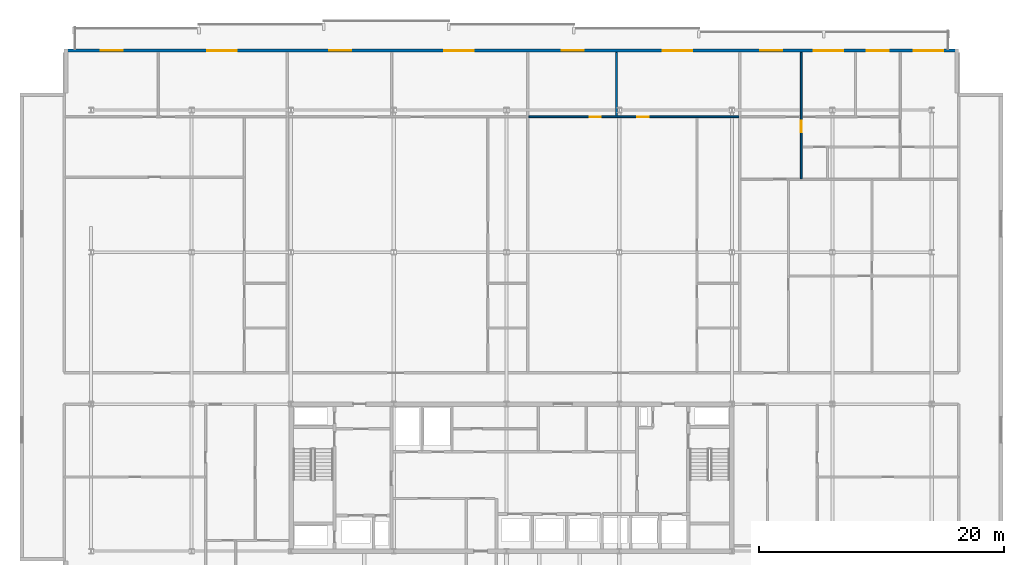
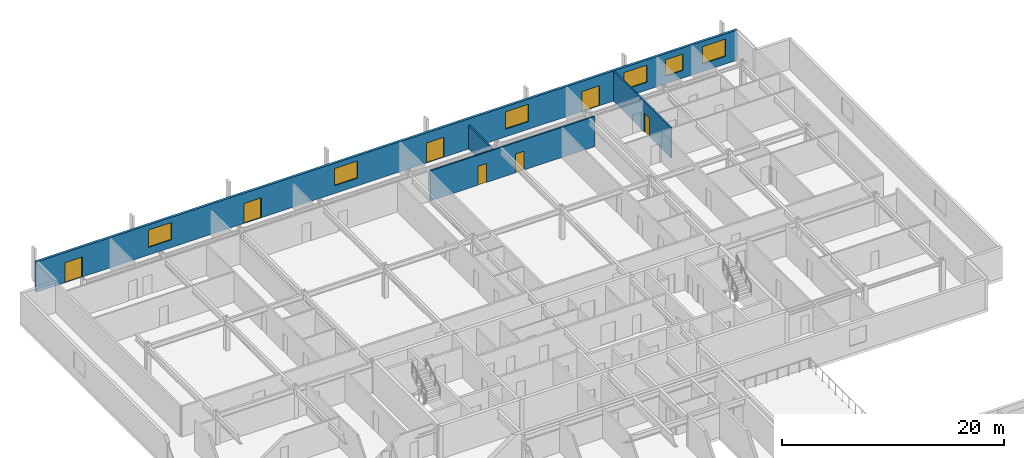
# One storey, part 21 of 28: 7 doors, 6 windows, 4 walls, 13 openings.
"""IFC4 building model written with IfcOpenShell, lengths in metres."""

from ifc_helpers import new_model, si_unit, direction, frame, frame_2d, origin, place, context, subcontext, project, spatial, rectangle, extrude, material, layer, layer_set, type_object, element, fill, save


model = new_model("IFC4")

# Units and contexts
model_context = context("Model", 3, precision=1e-05, world=origin(), true_north=direction((0.0, 1.0)))
body_context = subcontext(model_context, "Body", "Model", "MODEL_VIEW")
ifc_project = project(units=[si_unit("LENGTHUNIT", "METRE"), si_unit("AREAUNIT", "SQUARE_METRE"), si_unit("VOLUMEUNIT", "CUBIC_METRE"), si_unit("PLANEANGLEUNIT", "RADIAN"), si_unit("MASSUNIT", "GRAM", prefix="KILO")], contexts=[model_context])

# Site, building, storey
site_placement = place(None, origin())
site = spatial("IfcSite", under=ifc_project, at=site_placement, CompositionType="ELEMENT")
building_placement = place(site_placement, origin())
building = spatial("IfcBuilding", under=site, at=building_placement, Name="Korimba Cascade Residences", CompositionType="ELEMENT")
storey_placement = place(building_placement, frame((0.0, 0.0, 153.699951171875)))
storey = spatial("IfcBuildingStorey", under=building, at=storey_placement, Name="L44", CompositionType="ELEMENT", Elevation=153.699951171875)

# Wall, openings, doors, windows
ifc_material_1 = material(Name="Precast concrete C40/50", Category="concrete")
ifc_layer_1 = layer(ifc_material_1, 0.25)
ifc_layer_set_1 = layer_set([ifc_layer_1], Name="Precast concrete C40/50")
wall_type_1 = type_object("IfcWallType", Name="EW-LOG-250", PredefinedType="STANDARD", material=ifc_layer_set_1)
wall_1_placement = place(storey_placement, frame((130.60009765625, 96.050048828125, 0.0), z_axis=(0.0, 0.0, 1.0), x_axis=(-1.0, 0.0, 0.0)))
wall_1 = element("IfcWall", 1, at=wall_1_placement, inside=storey, type_object=wall_type_1, Name="L44 T1 Perimeter Stone Wall E06", PredefinedType="STANDARD", context=body_context, shape_type="SweptSolid", body=[
    extrude(rectangle(XDim=73.0, YDim=0.25, at=frame_2d((36.5, 0.0))), origin(), (0.0, 0.0, 1.0), 3.320068359375),
])
opening_1_placement = place(wall_1_placement, frame((68.197021484375, 0.0, 0.0)))
opening_1 = element("IfcOpeningElement", 2, at=opening_1_placement, cuts=wall_1, Name="Opening D-LG1", PredefinedType="OPENING", context=body_context, shape_type="SweptSolid", body=[
    extrude(rectangle(XDim=1.800048828125, YDim=2.199951171875, at=frame_2d((0.89990234375, 1.10009765625))), frame((0.0, 0.135009765625, 0.0), z_axis=(0.0, -1.0, 0.0), x_axis=(1.0, 0.0, 0.0)), (0.0, 0.0, 1.0), 0.27001953125),
])
opening_2_placement = place(wall_1_placement, frame((58.91064453125, 0.0, 0.85009765625)))
opening_2 = element("IfcOpeningElement", 3, at=opening_2_placement, cuts=wall_1, Name="Opening W-01", PredefinedType="OPENING", context=body_context, shape_type="SweptSolid", body=[
    extrude(rectangle(XDim=2.39990234375, YDim=1.89990234375, at=frame_2d((1.199951171875, 0.949951171875))), frame((0.0, 0.135009765625, 0.0), z_axis=(0.0, -1.0, 0.0), x_axis=(1.0, 0.0, 0.0)), (0.0, 0.0, 1.0), 0.27001953125),
])
opening_3_placement = place(wall_1_placement, frame((49.570556640625, 0.0, 0.0)))
opening_3 = element("IfcOpeningElement", 4, at=opening_3_placement, cuts=wall_1, Name="Opening D-LG1", PredefinedType="OPENING", context=body_context, shape_type="SweptSolid", body=[
    extrude(rectangle(XDim=1.800048828125, YDim=2.199951171875, at=frame_2d((0.89990234375, 1.10009765625))), frame((0.0, 0.135009765625, 0.0), z_axis=(0.0, -1.0, 0.0), x_axis=(1.0, 0.0, 0.0)), (0.0, 0.0, 1.0), 0.27001953125),
])
opening_4_placement = place(wall_1_placement, frame((39.572021484375, 0.0, 0.85009765625)))
opening_4 = element("IfcOpeningElement", 5, at=opening_4_placement, cuts=wall_1, Name="Opening W-01", PredefinedType="OPENING", context=body_context, shape_type="SweptSolid", body=[
    extrude(rectangle(XDim=2.39990234375, YDim=1.89990234375, at=frame_2d((1.199951171875, 0.949951171875))), frame((0.0, 0.135009765625, 0.0), z_axis=(0.0, -1.0, 0.0), x_axis=(1.0, 0.0, 0.0)), (0.0, 0.0, 1.0), 0.27001953125),
])
opening_5_placement = place(wall_1_placement, frame((30.574951171875, 0.0, 0.0)))
opening_5 = element("IfcOpeningElement", 6, at=opening_5_placement, cuts=wall_1, Name="Opening D-LG1", PredefinedType="OPENING", context=body_context, shape_type="SweptSolid", body=[
    extrude(rectangle(XDim=1.800048828125, YDim=2.199951171875, at=frame_2d((0.89990234375, 1.10009765625))), frame((0.0, 0.135009765625, 0.0), z_axis=(0.0, -1.0, 0.0), x_axis=(1.0, 0.0, 0.0)), (0.0, 0.0, 1.0), 0.27001953125),
])
opening_6_placement = place(wall_1_placement, frame((21.7451171875, 0.0, 0.85009765625)))
opening_6 = element("IfcOpeningElement", 7, at=opening_6_placement, cuts=wall_1, Name="Opening W-01", PredefinedType="OPENING", context=body_context, shape_type="SweptSolid", body=[
    extrude(rectangle(XDim=2.39990234375, YDim=1.89990234375, at=frame_2d((1.199951171875, 0.949951171875))), frame((0.0, 0.135009765625, 0.0), z_axis=(0.0, -1.0, 0.0), x_axis=(1.0, 0.0, 0.0)), (0.0, 0.0, 1.0), 0.27001953125),
])
opening_7_placement = place(wall_1_placement, frame((9.43505859375, 0.0, 0.85009765625)))
opening_7 = element("IfcOpeningElement", 8, at=opening_7_placement, cuts=wall_1, Name="Opening W-01", PredefinedType="OPENING", context=body_context, shape_type="SweptSolid", body=[
    extrude(rectangle(XDim=2.39990234375, YDim=1.89990234375, at=frame_2d((1.199951171875, 0.949951171875))), frame((0.0, 0.135009765625, 0.0), z_axis=(0.0, -1.0, 0.0), x_axis=(1.0, 0.0, 0.0)), (0.0, 0.0, 1.0), 0.27001953125),
])
opening_8_placement = place(wall_1_placement, frame((5.695068359375, 0.0, 0.85009765625)))
opening_8 = element("IfcOpeningElement", 9, at=opening_8_placement, cuts=wall_1, Name="Opening W-02", PredefinedType="OPENING", context=body_context, shape_type="SweptSolid", body=[
    extrude(rectangle(XDim=1.800048828125, YDim=1.800048828125, at=frame_2d((0.89990234375, 0.89990234375))), frame((0.0, 0.135009765625, 0.0), z_axis=(0.0, -1.0, 0.0), x_axis=(1.0, 0.0, 0.0)), (0.0, 0.0, 1.0), 0.27001953125),
])
opening_9_placement = place(wall_1_placement, frame((14.389892578125, 0.0, 0.0)))
opening_9 = element("IfcOpeningElement", 10, at=opening_9_placement, cuts=wall_1, Name="Opening D-LG1", PredefinedType="OPENING", context=body_context, shape_type="SweptSolid", body=[
    extrude(rectangle(XDim=1.800048828125, YDim=2.199951171875, at=frame_2d((0.89990234375, 1.10009765625))), frame((0.0, 0.135009765625, 0.0), z_axis=(0.0, -1.0, 0.0), x_axis=(1.0, 0.0, 0.0)), (0.0, 0.0, 1.0), 0.27001953125),
])
opening_10_placement = place(wall_1_placement, frame((1.2451171875, 0.0, 0.85009765625)))
opening_10 = element("IfcOpeningElement", 11, at=opening_10_placement, cuts=wall_1, Name="Opening W-01", PredefinedType="OPENING", context=body_context, shape_type="SweptSolid", body=[
    extrude(rectangle(XDim=2.39990234375, YDim=1.89990234375, at=frame_2d((1.199951171875, 0.949951171875))), frame((0.0, 0.135009765625, 0.0), z_axis=(0.0, -1.0, 0.0), x_axis=(1.0, 0.0, 0.0)), (0.0, 0.0, 1.0), 0.27001953125),
])
ifc_material_2 = material(Name="Glazed Aluminium Loggia Sliding Door", Category="aluminium")
door_type_1 = type_object("IfcDoorType", Name="DR-EXT-LOG", OperationType="NOTDEFINED", PredefinedType="DOOR", material=ifc_material_2)
door_1_placement = place(opening_1_placement, origin())
door_1 = element("IfcDoor", 12, at=door_1_placement, inside=storey, type_object=door_type_1, Name="L44 T1 Loggia Sliding Door 3", OperationType="SLIDING_TO_LEFT", OverallHeight=2.199951171875, OverallWidth=1.800048828125, PredefinedType="DOOR", context=body_context, shape_type="SweptSolid", body=[
    extrude(rectangle(XDim=1.800048828125, YDim=2.199951171875, at=frame_2d((0.89990234375, 1.10009765625))), frame((0.0, 0.02490234375, 0.0), z_axis=(0.0, -1.0, 0.0), x_axis=(1.0, 0.0, 0.0)), (0.0, 0.0, 1.0), 0.050048828125),
])
fill(opening_1, door_1)
door_2_placement = place(opening_3_placement, origin())
door_2 = element("IfcDoor", 13, at=door_2_placement, inside=storey, type_object=door_type_1, Name="L44 T1 Loggia Sliding Door 5", OperationType="SLIDING_TO_LEFT", OverallHeight=2.199951171875, OverallWidth=1.800048828125, PredefinedType="DOOR", context=body_context, shape_type="SweptSolid", body=[
    extrude(rectangle(XDim=1.800048828125, YDim=2.199951171875, at=frame_2d((0.89990234375, 1.10009765625))), frame((0.0, 0.02490234375, 0.0), z_axis=(0.0, -1.0, 0.0), x_axis=(1.0, 0.0, 0.0)), (0.0, 0.0, 1.0), 0.050048828125),
])
fill(opening_3, door_2)
door_3_placement = place(opening_5_placement, origin())
door_3 = element("IfcDoor", 14, at=door_3_placement, inside=storey, type_object=door_type_1, Name="L44 T1 Loggia Sliding Door 7", OperationType="SLIDING_TO_LEFT", OverallHeight=2.199951171875, OverallWidth=1.800048828125, PredefinedType="DOOR", context=body_context, shape_type="SweptSolid", body=[
    extrude(rectangle(XDim=1.800048828125, YDim=2.199951171875, at=frame_2d((0.89990234375, 1.10009765625))), frame((0.0, 0.02490234375, 0.0), z_axis=(0.0, -1.0, 0.0), x_axis=(1.0, 0.0, 0.0)), (0.0, 0.0, 1.0), 0.050048828125),
])
fill(opening_5, door_3)
door_4_placement = place(opening_9_placement, origin())
door_4 = element("IfcDoor", 15, at=door_4_placement, inside=storey, type_object=door_type_1, Name="L44 T1 Loggia Sliding Door 11", OperationType="SLIDING_TO_LEFT", OverallHeight=2.199951171875, OverallWidth=1.800048828125, PredefinedType="DOOR", context=body_context, shape_type="SweptSolid", body=[
    extrude(rectangle(XDim=1.800048828125, YDim=2.199951171875, at=frame_2d((0.89990234375, 1.10009765625))), frame((0.0, 0.02490234375, 0.0), z_axis=(0.0, -1.0, 0.0), x_axis=(1.0, 0.0, 0.0)), (0.0, 0.0, 1.0), 0.050048828125),
])
fill(opening_9, door_4)
ifc_material_3 = material(Name="Double-Glazed Aluminium Window", Category="aluminium")
window_type_1 = type_object("IfcWindowType", Name="WIN-BED-1800", PartitioningType="SINGLE_PANEL", PredefinedType="WINDOW", material=ifc_material_3)
window_1_placement = place(opening_8_placement, origin())
window_1 = element("IfcWindow", 16, at=window_1_placement, inside=storey, type_object=window_type_1, Name="L44 T1 North Facade Window 10", OverallHeight=1.800048828125, OverallWidth=1.800048828125, PartitioningType="SINGLE_PANEL", PredefinedType="WINDOW", context=body_context, shape_type="SweptSolid", body=[
    extrude(rectangle(XDim=1.800048828125, YDim=1.800048828125, at=frame_2d((0.89990234375, 0.89990234375))), frame((0.0, 0.030029296875, 0.0), z_axis=(0.0, -1.0, 0.0), x_axis=(1.0, 0.0, 0.0)), (0.0, 0.0, 1.0), 0.06005859375),
])
fill(opening_8, window_1)
window_type_2 = type_object("IfcWindowType", Name="WIN-RES-2400", PartitioningType="DOUBLE_PANEL_VERTICAL", PredefinedType="WINDOW", material=ifc_material_3)
window_2_placement = place(opening_2_placement, origin())
window_2 = element("IfcWindow", 17, at=window_2_placement, inside=storey, type_object=window_type_2, Name="L44 T1 North Facade Window 4", OverallHeight=1.89990234375, OverallWidth=2.39990234375, PartitioningType="DOUBLE_PANEL_VERTICAL", PredefinedType="WINDOW", context=body_context, shape_type="SweptSolid", body=[
    extrude(rectangle(XDim=2.39990234375, YDim=1.89990234375, at=frame_2d((1.199951171875, 0.949951171875))), frame((0.0, 0.030029296875, 0.0), z_axis=(0.0, -1.0, 0.0), x_axis=(1.0, 0.0, 0.0)), (0.0, 0.0, 1.0), 0.06005859375),
])
fill(opening_2, window_2)
window_3_placement = place(opening_4_placement, origin())
window_3 = element("IfcWindow", 18, at=window_3_placement, inside=storey, type_object=window_type_2, Name="L44 T1 North Facade Window 6", OverallHeight=1.89990234375, OverallWidth=2.39990234375, PartitioningType="DOUBLE_PANEL_VERTICAL", PredefinedType="WINDOW", context=body_context, shape_type="SweptSolid", body=[
    extrude(rectangle(XDim=2.39990234375, YDim=1.89990234375, at=frame_2d((1.199951171875, 0.949951171875))), frame((0.0, 0.030029296875, 0.0), z_axis=(0.0, -1.0, 0.0), x_axis=(1.0, 0.0, 0.0)), (0.0, 0.0, 1.0), 0.06005859375),
])
fill(opening_4, window_3)
window_4_placement = place(opening_6_placement, origin())
window_4 = element("IfcWindow", 19, at=window_4_placement, inside=storey, type_object=window_type_2, Name="L44 T1 North Facade Window 8", OverallHeight=1.89990234375, OverallWidth=2.39990234375, PartitioningType="DOUBLE_PANEL_VERTICAL", PredefinedType="WINDOW", context=body_context, shape_type="SweptSolid", body=[
    extrude(rectangle(XDim=2.39990234375, YDim=1.89990234375, at=frame_2d((1.199951171875, 0.949951171875))), frame((0.0, 0.030029296875, 0.0), z_axis=(0.0, -1.0, 0.0), x_axis=(1.0, 0.0, 0.0)), (0.0, 0.0, 1.0), 0.06005859375),
])
fill(opening_6, window_4)
window_5_placement = place(opening_7_placement, origin())
window_5 = element("IfcWindow", 20, at=window_5_placement, inside=storey, type_object=window_type_2, Name="L44 T1 North Facade Window 9", OverallHeight=1.89990234375, OverallWidth=2.39990234375, PartitioningType="DOUBLE_PANEL_VERTICAL", PredefinedType="WINDOW", context=body_context, shape_type="SweptSolid", body=[
    extrude(rectangle(XDim=2.39990234375, YDim=1.89990234375, at=frame_2d((1.199951171875, 0.949951171875))), frame((0.0, 0.030029296875, 0.0), z_axis=(0.0, -1.0, 0.0), x_axis=(1.0, 0.0, 0.0)), (0.0, 0.0, 1.0), 0.06005859375),
])
fill(opening_7, window_5)
window_6_placement = place(opening_10_placement, origin())
window_6 = element("IfcWindow", 21, at=window_6_placement, inside=storey, type_object=window_type_2, Name="L44 T1 North Facade Window 12", OverallHeight=1.89990234375, OverallWidth=2.39990234375, PartitioningType="DOUBLE_PANEL_VERTICAL", PredefinedType="WINDOW", context=body_context, shape_type="SweptSolid", body=[
    extrude(rectangle(XDim=2.39990234375, YDim=1.89990234375, at=frame_2d((1.199951171875, 0.949951171875))), frame((0.0, 0.030029296875, 0.0), z_axis=(0.0, -1.0, 0.0), x_axis=(1.0, 0.0, 0.0)), (0.0, 0.0, 1.0), 0.06005859375),
])
fill(opening_10, window_6)

# Wall
ifc_material_4 = material(Name="Insulated Acoustic Stud Partition", Category="gypsum")
ifc_layer_2 = layer(ifc_material_4, 0.14990234375)
ifc_layer_set_2 = layer_set([ifc_layer_2], Name="Insulated Acoustic Stud Partition")
wall_type_2 = type_object("IfcWallType", Name="WAL-PART-150", PredefinedType="PARTITIONING", material=ifc_layer_set_2)
wall_2_placement = place(storey_placement, frame((102.679931640625, 90.72998046875, 0.0), z_axis=(0.0, 0.0, 1.0), x_axis=(0.0, 1.0, 0.0)))
element("IfcWall", 22, at=wall_2_placement, inside=storey, type_object=wall_type_2, Name="L44 Partition Wall WAL-L44-T1-U03-OUTV", PredefinedType="PARTITIONING", context=body_context, shape_type="SweptSolid", body=[
    extrude(rectangle(XDim=5.169921875, YDim=0.14990234375, at=frame_2d((2.5849609375, 0.0))), origin(), (0.0, 0.0, 1.0), 2.627197265625),
])

# Wall, openings, doors
wall_3_placement = place(storey_placement, frame((95.530029296875, 90.64990234375, 0.0), z_axis=(0.0, 0.0, 1.0), x_axis=(1.0, 0.0, 0.0)))
wall_3 = element("IfcWall", 23, at=wall_3_placement, inside=storey, type_object=wall_type_2, Name="L44 Partition Wall WAL-L44-T1-U03-HZ", PredefinedType="PARTITIONING", context=body_context, shape_type="SweptSolid", body=[
    extrude(rectangle(XDim=17.139892578125, YDim=0.14990234375, at=frame_2d((8.56982421875, 0.0))), origin(), (0.0, 0.0, 1.0), 3.320068359375),
])
opening_11_placement = place(wall_3_placement, frame((4.948486328125, 0.0, 0.0)))
opening_11 = element("IfcOpeningElement", 24, at=opening_11_placement, cuts=wall_3, Name="Opening D-ST1", PredefinedType="OPENING", context=body_context, shape_type="SweptSolid", body=[
    extrude(rectangle(XDim=0.919921875, YDim=2.080078125, at=frame_2d((0.4599609375, 1.0400390625))), frame((0.0, 0.0849609375, 0.0), z_axis=(0.0, -1.0, 0.0), x_axis=(1.0, 0.0, 0.0)), (0.0, 0.0, 1.0), 0.169921875),
])
opening_12_placement = place(wall_3_placement, frame((8.842041015625, 0.0, 0.0)))
opening_12 = element("IfcOpeningElement", 25, at=opening_12_placement, cuts=wall_3, Name="Opening D-ST1", PredefinedType="OPENING", context=body_context, shape_type="SweptSolid", body=[
    extrude(rectangle(XDim=0.919921875, YDim=2.080078125, at=frame_2d((0.4599609375, 1.0400390625))), frame((0.0, 0.0849609375, 0.0), z_axis=(0.0, -1.0, 0.0), x_axis=(1.0, 0.0, 0.0)), (0.0, 0.0, 1.0), 0.169921875),
])
ifc_material_5 = material(Name="Fire-Rated Core Store Door", Category="wood")
door_type_2 = type_object("IfcDoorType", Name="DR-FD60-920", OperationType="NOTDEFINED", PredefinedType="DOOR", material=ifc_material_5)
door_5_placement = place(opening_11_placement, origin())
door_5 = element("IfcDoor", 26, at=door_5_placement, inside=storey, type_object=door_type_2, Name="L44-T1-U03 Sky Lobby Concierge Door", OperationType="SINGLE_SWING_RIGHT", OverallHeight=2.080078125, OverallWidth=0.919921875, PredefinedType="DOOR", context=body_context, shape_type="SweptSolid", body=[
    extrude(rectangle(XDim=0.919921875, YDim=2.080078125, at=frame_2d((0.4599609375, 1.0400390625))), frame((0.0, 0.02490234375, 0.0), z_axis=(0.0, -1.0, 0.0), x_axis=(1.0, 0.0, 0.0)), (0.0, 0.0, 1.0), 0.050048828125),
])
fill(opening_11, door_5)
door_6_placement = place(opening_12_placement, origin())
door_6 = element("IfcDoor", 27, at=door_6_placement, inside=storey, type_object=door_type_2, Name="L44-T1-U03 Horizon Observation Atrium Door", OperationType="SINGLE_SWING_LEFT", OverallHeight=2.080078125, OverallWidth=0.919921875, PredefinedType="DOOR", context=body_context, shape_type="SweptSolid", body=[
    extrude(rectangle(XDim=0.919921875, YDim=2.080078125, at=frame_2d((0.4599609375, 1.0400390625))), frame((0.0, 0.02490234375, 0.0), z_axis=(0.0, -1.0, 0.0), x_axis=(1.0, 0.0, 0.0)), (0.0, 0.0, 1.0), 0.050048828125),
])
fill(opening_12, door_6)

# Wall, opening, door
wall_4_placement = place(storey_placement, frame((117.75, 85.590087890625, 0.0), z_axis=(0.0, 0.0, 1.0), x_axis=(0.0, 1.0, 0.0)))
wall_4 = element("IfcWall", 28, at=wall_4_placement, inside=storey, type_object=wall_type_2, Name="L44 Partition Wall WAL-L44-T1-U04-V1", PredefinedType="PARTITIONING", context=body_context, shape_type="SweptSolid", body=[
    extrude(rectangle(XDim=10.309814453125, YDim=0.14990234375, at=frame_2d((5.15478515625, 0.0))), origin(), (0.0, 0.0, 1.0), 3.320068359375),
])
opening_13_placement = place(wall_4_placement, frame((3.820068359375, 0.0, 0.0)))
opening_13 = element("IfcOpeningElement", 29, at=opening_13_placement, cuts=wall_4, Name="Opening D-IN1", PredefinedType="OPENING", context=body_context, shape_type="SweptSolid", body=[
    extrude(rectangle(XDim=0.919921875, YDim=2.080078125, at=frame_2d((0.4599609375, 1.0400390625))), frame((0.0, 0.0849609375, 0.0), z_axis=(0.0, -1.0, 0.0), x_axis=(1.0, 0.0, 0.0)), (0.0, 0.0, 1.0), 0.169921875),
])
ifc_material_6 = material(Name="Acoustic Timber Living Door", Category="wood")
door_type_3 = type_object("IfcDoorType", Name="DR-INT-920", OperationType="NOTDEFINED", PredefinedType="DOOR", material=ifc_material_6)
door_7_placement = place(opening_13_placement, origin())
door_7 = element("IfcDoor", 30, at=door_7_placement, inside=storey, type_object=door_type_3, Name="L44-T1-U04 Hallway Door", OperationType="SINGLE_SWING_RIGHT", OverallHeight=2.080078125, OverallWidth=0.919921875, PredefinedType="DOOR", context=body_context, shape_type="SweptSolid", body=[
    extrude(rectangle(XDim=0.919921875, YDim=2.080078125, at=frame_2d((0.4599609375, 1.0400390625))), frame((0.0, 0.02490234375, 0.0), z_axis=(0.0, -1.0, 0.0), x_axis=(1.0, 0.0, 0.0)), (0.0, 0.0, 1.0), 0.050048828125),
])
fill(opening_13, door_7)

save(model, "model.ifc")
